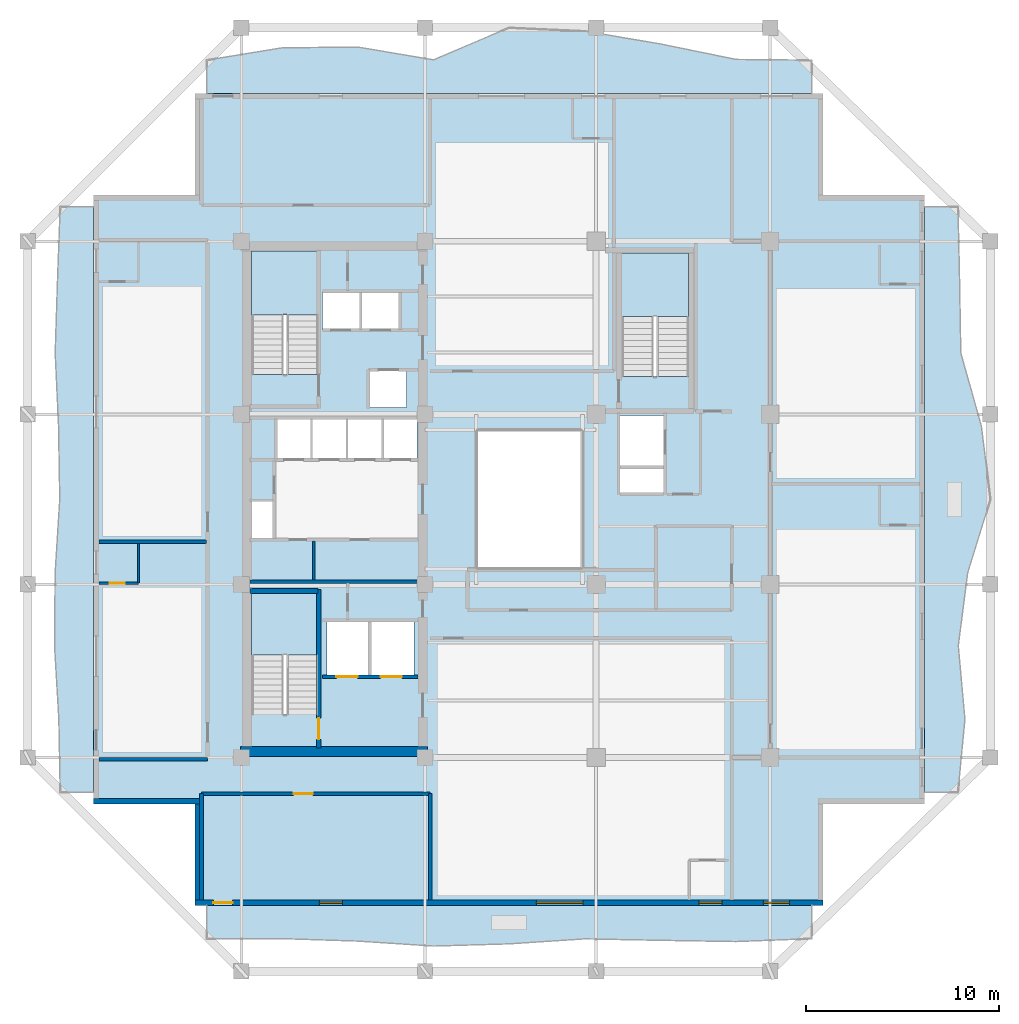
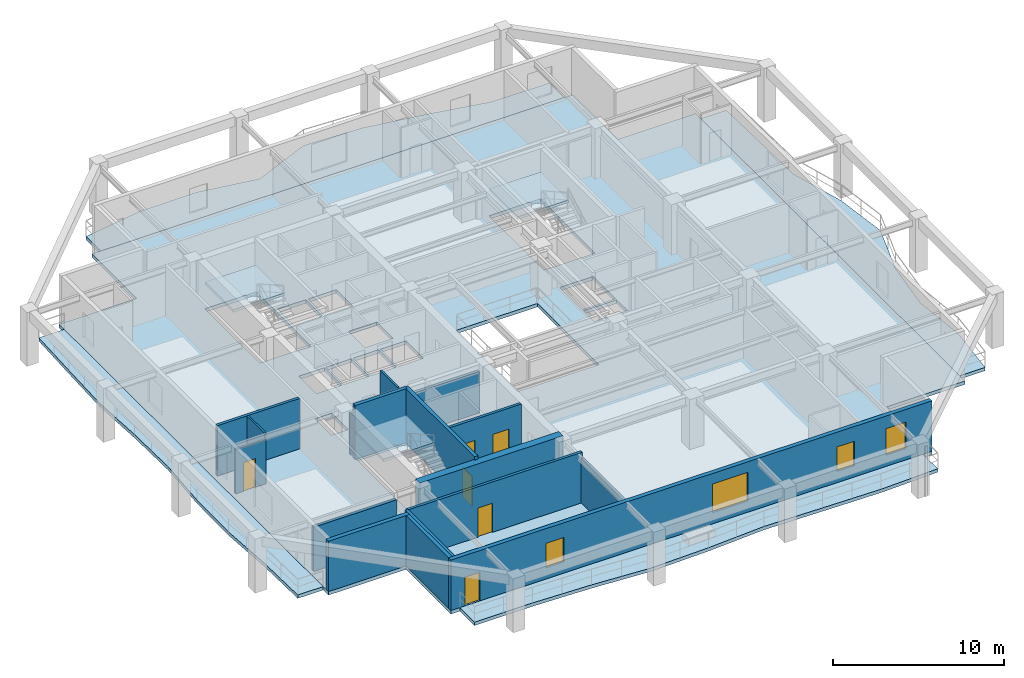
# One storey, part 2 of 12: 16 walls, 8 slabs, 6 doors, 4 windows, 10 openings, 3 elements without a shape of their own.
"""IFC4 building model written with IfcOpenShell, lengths in metres."""

from ifc_helpers import new_model, si_unit, direction, frame, frame_2d, origin, place, context, subcontext, project, spatial, polyline, rectangle, outline, extrude, material, layer, layer_set, type_object, element, fill, aggregate, save


model = new_model("IFC4")

# Units and contexts
model_context = context("Model", 3, precision=1e-05, world=origin(), true_north=direction((0.0, 1.0)))
body_context = subcontext(model_context, "Body", "Model", "MODEL_VIEW")
ifc_project = project(units=[si_unit("LENGTHUNIT", "METRE"), si_unit("AREAUNIT", "SQUARE_METRE"), si_unit("VOLUMEUNIT", "CUBIC_METRE"), si_unit("PLANEANGLEUNIT", "RADIAN"), si_unit("MASSUNIT", "GRAM", prefix="KILO")], contexts=[model_context])

# Site, building, storey
site_placement = place(None, origin())
site = spatial("IfcSite", under=ifc_project, at=site_placement, CompositionType="ELEMENT")
building_placement = place(site_placement, origin())
building = spatial("IfcBuilding", under=site, at=building_placement, Name="Kundavana Baori Tower", CompositionType="ELEMENT")
storey_placement = place(building_placement, frame((0.0, 0.0, 157.89990234375)))
storey = spatial("IfcBuildingStorey", under=building, at=storey_placement, Name="L38", CompositionType="ELEMENT", Elevation=157.89990234375)

# Slab
ifc_material_1 = material(Name="Concrete C40/50", Category="concrete")
ifc_layer_1 = layer(ifc_material_1, 0.25, Name="SLB-FLR-250")
ifc_layer_set_1 = layer_set([ifc_layer_1], Name="Concrete C40/50")
slab_type_1 = type_object("IfcSlabType", Name="SLB-FLR-250", PredefinedType="FLOOR", material=ifc_layer_set_1)
slab_1_placement = place(storey_placement, frame((0.0, 0.0, -0.25)))
element("IfcSlab", 1, at=slab_1_placement, inside=storey, type_object=slab_type_1, Name="L38 Structural Floor Slab", PredefinedType="FLOOR", context=body_context, shape_type="SweptSolid", body=[
    extrude(outline(polyline([(13.050048828125, 7.60009765625), (45.550048828125, 7.60009765625), (45.550048828125, 12.85009765625), (50.800048828125, 12.85009765625), (50.800048828125, 44.35009765625), (45.550048828125, 44.35009765625), (45.550048828125, 49.60009765625), (13.050048828125, 49.60009765625), (13.050048828125, 44.35009765625), (7.800048828125, 44.35009765625), (7.800048828125, 12.85009765625), (13.050048828125, 12.85009765625), (13.050048828125, 7.60009765625)]), holes=[polyline([(19.43994140625, 17.4619140625), (19.43994140625, 23.85009765625), (15.97998046875, 23.85009765625), (15.97998046875, 17.4619140625), (19.43994140625, 17.4619140625)]), polyline([(19.43994140625, 35.06201171875), (19.43994140625, 41.449951171875), (15.97998046875, 41.449951171875), (15.97998046875, 35.06201171875), (19.43994140625, 35.06201171875)]), polyline([(38.580078125, 34.9619140625), (38.580078125, 41.35009765625), (35.1201171875, 41.35009765625), (35.1201171875, 34.9619140625), (38.580078125, 34.9619140625)]), polyline([(17.300048828125, 30.699951171875), (19.02001953125, 30.699951171875), (19.02001953125, 32.75), (17.300048828125, 32.75), (17.300048828125, 30.699951171875)]), polyline([(19.139892578125, 30.699951171875), (20.860107421875, 30.699951171875), (20.860107421875, 32.75), (19.139892578125, 32.75), (19.139892578125, 30.699951171875)]), polyline([(20.97998046875, 30.699951171875), (22.699951171875, 30.699951171875), (22.699951171875, 32.75), (20.97998046875, 32.75), (20.97998046875, 30.699951171875)]), polyline([(22.820068359375, 30.699951171875), (24.5400390625, 30.699951171875), (24.5400390625, 32.75), (22.820068359375, 32.75), (22.820068359375, 30.699951171875)]), polyline([(19.64990234375, 37.39990234375), (21.550048828125, 37.39990234375), (21.550048828125, 39.300048828125), (19.64990234375, 39.300048828125), (19.64990234375, 37.39990234375)]), polyline([(21.699951171875, 37.39990234375), (23.60009765625, 37.39990234375), (23.60009765625, 39.300048828125), (21.699951171875, 39.300048828125), (21.699951171875, 37.39990234375)]), polyline([(22.10009765625, 33.35009765625), (24.0, 33.35009765625), (24.0, 35.25), (22.10009765625, 35.25), (22.10009765625, 33.35009765625)]), polyline([(19.8798828125, 19.5), (22.02001953125, 19.5), (22.02001953125, 22.25), (19.8798828125, 22.25), (19.8798828125, 19.5)]), polyline([(22.179931640625, 19.5), (24.3798828125, 19.5), (24.3798828125, 22.25), (22.179931640625, 22.25), (22.179931640625, 19.5)]), polyline([(35.050048828125, 30.35009765625), (37.300048828125, 30.35009765625), (37.300048828125, 32.949951171875), (35.050048828125, 32.949951171875), (35.050048828125, 30.35009765625)]), polyline([(15.949951171875, 26.60009765625), (17.080078125, 26.60009765625), (17.080078125, 28.5), (15.949951171875, 28.5), (15.949951171875, 26.60009765625)]), polyline([(35.050048828125, 28.949951171875), (37.300048828125, 28.949951171875), (37.300048828125, 30.199951171875), (35.050048828125, 30.199951171875), (35.050048828125, 28.949951171875)]), polyline([(27.60009765625, 25.0), (33.10009765625, 25.0), (33.10009765625, 32.199951171875), (27.60009765625, 32.199951171875), (27.60009765625, 25.0)])]), origin(), (0.0, 0.0, 1.0), 0.25),
])

# Stair, slab
ifc_material_2 = material(Name="Concrete C40/50", Category="concrete")
stair_type = type_object("IfcStairType", Name="STR-DOG-1650", PredefinedType="HALF_TURN_STAIR", material=ifc_material_2)
stair_1_placement = place(storey_placement, origin())
stair_1 = element("IfcStair", 2, at=stair_1_placement, inside=storey, type_object=stair_type, Name="L38 Protected Exit Stair ST1", PredefinedType="HALF_TURN_STAIR")
ifc_material_3 = material(Name="Concrete C40/50", Category="concrete")
ifc_layer_2 = layer(ifc_material_3, 0.199951171875, Name="SLB-LND-200")
ifc_layer_set_2 = layer_set([ifc_layer_2], Name="Concrete C40/50")
slab_type_2 = type_object("IfcSlabType", Name="SLB-LND-200", PredefinedType="LANDING", material=ifc_layer_set_2)
slab_2_placement = place(storey_placement, frame((0.0, 0.0, 1.72509765625)))
slab_2 = element("IfcSlab", 3, at=slab_2_placement, type_object=slab_type_2, Name="ST1 landing 1", PredefinedType="LANDING", context=body_context, shape_type="SweptSolid", body=[
    extrude(outline(polyline([(19.43994140625, 20.550048828125), (19.43994140625, 23.85009765625), (15.97998046875, 23.85009765625), (15.97998046875, 20.550048828125), (19.43994140625, 20.550048828125)])), origin(), (0.0, 0.0, 1.0), 0.199951171875),
])
aggregate(stair_1, [slab_2])

stair_2_placement = place(storey_placement, origin())
stair_2 = element("IfcStair", 4, at=stair_2_placement, inside=storey, type_object=stair_type, Name="L38 Protected Exit Stair ST2", PredefinedType="HALF_TURN_STAIR")
slab_3_placement = place(storey_placement, frame((0.0, 0.0, 1.72509765625)))
slab_3 = element("IfcSlab", 5, at=slab_3_placement, type_object=slab_type_2, Name="ST2 landing 1", PredefinedType="LANDING", context=body_context, shape_type="SweptSolid", body=[
    extrude(outline(polyline([(19.43994140625, 38.14990234375), (19.43994140625, 41.449951171875), (15.97998046875, 41.449951171875), (15.97998046875, 38.14990234375), (19.43994140625, 38.14990234375)])), origin(), (0.0, 0.0, 1.0), 0.199951171875),
])
aggregate(stair_2, [slab_3])

stair_3_placement = place(storey_placement, origin())
stair_3 = element("IfcStair", 6, at=stair_3_placement, inside=storey, type_object=stair_type, Name="L38 Protected Exit Stair ST3", PredefinedType="HALF_TURN_STAIR")
slab_4_placement = place(storey_placement, frame((0.0, 0.0, 1.72509765625)))
slab_4 = element("IfcSlab", 7, at=slab_4_placement, type_object=slab_type_2, Name="ST3 landing 1", PredefinedType="LANDING", context=body_context, shape_type="SweptSolid", body=[
    extrude(outline(polyline([(38.580078125, 38.050048828125), (38.580078125, 41.35009765625), (35.1201171875, 41.35009765625), (35.1201171875, 38.050048828125), (38.580078125, 38.050048828125)])), origin(), (0.0, 0.0, 1.0), 0.199951171875),
])
aggregate(stair_3, [slab_4])

# Slabs
ifc_material_4 = material(Name="Concrete C40/50", Category="concrete")
ifc_layer_3 = layer(ifc_material_4, 0.239990234375, Name="SLB-LOG-240")
ifc_layer_set_3 = layer_set([ifc_layer_3], Name="Concrete C40/50")
slab_type_3 = type_object("IfcSlabType", Name="SLB-LOG-240", PredefinedType="FLOOR", material=ifc_layer_set_3)
slab_5_placement = place(storey_placement, frame((0.0, 0.0, -0.239990234375)))
element("IfcSlab", 8, at=slab_5_placement, inside=storey, type_object=slab_type_3, Name="L38 Planted Loggia Balcony Slab S", PredefinedType="FLOOR", context=body_context, shape_type="SweptSolid", body=[
    extrude(outline(polyline([(13.64990234375, 7.60009765625), (44.949951171875, 7.60009765625), (44.949951171875, 5.8798828125), (41.0380859375, 5.72900390625), (37.125, 5.7939453125), (33.212890625, 5.867919921875), (29.300048828125, 5.610107421875), (25.387939453125, 5.49609375), (21.47509765625, 5.7529296875), (17.56201171875, 5.8798828125), (13.64990234375, 5.8798828125), (13.64990234375, 7.60009765625)])), origin(), (0.0, 0.0, 1.0), 0.239990234375),
])
slab_6_placement = place(storey_placement, frame((0.0, 0.0, -0.239990234375)))
element("IfcSlab", 9, at=slab_6_placement, inside=storey, type_object=slab_type_3, Name="L38 Planted Loggia Balcony Slab E", PredefinedType="FLOOR", context=body_context, shape_type="SweptSolid", body=[
    extrude(outline(polyline([(50.800048828125, 13.449951171875), (50.800048828125, 43.75), (52.52001953125, 43.75), (52.60205078125, 39.9619140625), (52.6669921875, 36.175048828125), (53.73291015625, 32.387939453125), (54.199951171875, 28.60009765625), (53.02294921875, 24.81201171875), (52.537109375, 21.02490234375), (52.8798828125, 17.238037109375), (52.52001953125, 13.449951171875), (50.800048828125, 13.449951171875)])), origin(), (0.0, 0.0, 1.0), 0.239990234375),
])
slab_7_placement = place(storey_placement, frame((0.0, 0.0, -0.239990234375)))
element("IfcSlab", 10, at=slab_7_placement, inside=storey, type_object=slab_type_3, Name="L38 Planted Loggia Balcony Slab N", PredefinedType="FLOOR", context=body_context, shape_type="SweptSolid", body=[
    extrude(outline(polyline([(44.949951171875, 49.60009765625), (13.64990234375, 49.60009765625), (13.64990234375, 51.320068359375), (17.56201171875, 51.9619140625), (21.47509765625, 51.9990234375), (25.387939453125, 51.337890625), (29.300048828125, 53.0), (33.212890625, 52.822998046875), (37.125, 52.162109375), (41.0380859375, 51.360107421875), (44.949951171875, 51.320068359375), (44.949951171875, 49.60009765625)])), origin(), (0.0, 0.0, 1.0), 0.239990234375),
])
slab_8_placement = place(storey_placement, frame((0.0, 0.0, -0.239990234375)))
element("IfcSlab", 11, at=slab_8_placement, inside=storey, type_object=slab_type_3, Name="L38 Planted Loggia Balcony Slab W", PredefinedType="FLOOR", context=body_context, shape_type="SweptSolid", body=[
    extrude(outline(polyline([(7.800048828125, 43.75), (7.800048828125, 13.449951171875), (6.080078125, 13.449951171875), (6.009033203125, 17.238037109375), (5.787109375, 21.02490234375), (5.818115234375, 24.81201171875), (6.055908203125, 28.60009765625), (5.9951171875, 32.387939453125), (5.820068359375, 36.175048828125), (5.93994140625, 39.9619140625), (6.080078125, 43.75), (7.800048828125, 43.75)])), origin(), (0.0, 0.0, 1.0), 0.239990234375),
])

# Wall, opening, door
ifc_material_5 = material(Name="Concrete C50/60", Category="concrete")
ifc_layer_4 = layer(ifc_material_5, 0.39990234375, Name="WL-CORE-400")
ifc_layer_set_4 = layer_set([ifc_layer_4], Name="Concrete C50/60")
wall_type_1 = type_object("IfcWallType", Name="WL-CORE-400", PredefinedType="SHEAR", material=ifc_layer_set_4)
wall_1_placement = place(storey_placement, frame((19.4599609375, 15.739990234375, 0.0), z_axis=(0.0, 0.0, 1.0), x_axis=(0.0, 1.0, 0.0)))
wall_1 = element("IfcWall", 12, at=wall_1_placement, inside=storey, type_object=wall_type_1, Name="WL-L38-ST1-E", PredefinedType="SHEAR", context=body_context, shape_type="SweptSolid", body=[
    extrude(rectangle(XDim=8.199951171875, YDim=0.239990234375, at=frame_2d((4.10009765625, 0.0))), origin(), (0.0, 0.0, 1.0), 3.85009765625),
])
opening_1_placement = place(wall_1_placement, frame((0.449951171875, 0.0, 0.0)))
opening_1 = element("IfcOpeningElement", 13, at=opening_1_placement, cuts=wall_1, Name="Opening FD-110", PredefinedType="OPENING", context=body_context, shape_type="SweptSolid", body=[
    extrude(rectangle(XDim=1.10009765625, YDim=2.10009765625, at=frame_2d((0.550048828125, 1.050048828125))), frame((0.0, 0.1298828125, 0.0), z_axis=(0.0, -1.0, 0.0), x_axis=(1.0, 0.0, 0.0)), (0.0, 0.0, 1.0), 0.260009765625),
])
ifc_material_6 = material(Name="Galvanised Steel Fire-Rated Door Leaf", Category="steel")
door_type_1 = type_object("IfcDoorType", Name="DR-FD120-1100", OperationType="NOTDEFINED", PredefinedType="DOOR", material=ifc_material_6)
door_1_placement = place(opening_1_placement, origin())
door_1 = element("IfcDoor", 14, at=door_1_placement, inside=storey, type_object=door_type_1, Name="DR-L38-ST1", OperationType="SINGLE_SWING_LEFT", OverallHeight=2.10009765625, OverallWidth=1.10009765625, PredefinedType="DOOR", context=body_context, shape_type="SweptSolid", body=[
    extrude(rectangle(XDim=1.10009765625, YDim=2.10009765625, at=frame_2d((0.550048828125, 1.050048828125))), frame((0.0, 0.02490234375, 0.0), z_axis=(0.0, -1.0, 0.0), x_axis=(1.0, 0.0, 0.0)), (0.0, 0.0, 1.0), 0.050048828125),
])
fill(opening_1, door_1)

# Walls
wall_2_placement = place(storey_placement, frame((15.89990234375, 23.860107421875, 0.0), z_axis=(0.0, 0.0, 1.0), x_axis=(1.0, 0.0, 0.0)))
element("IfcWall", 15, at=wall_2_placement, inside=storey, type_object=wall_type_1, Name="WL-L38-ST1-N", PredefinedType="SHEAR", context=body_context, shape_type="SweptSolid", body=[
    extrude(rectangle(XDim=3.52001953125, YDim=0.239990234375, at=frame_2d((1.760009765625, 0.0))), origin(), (0.0, 0.0, 1.0), 3.85009765625),
])
ifc_material_7 = material(Name="Concrete C50/60", Category="concrete")
ifc_layer_5 = layer(ifc_material_7, 0.5, Name="WL-CORE-500")
ifc_layer_set_5 = layer_set([ifc_layer_5], Name="Concrete C50/60")
wall_type_2 = type_object("IfcWallType", Name="WL-CORE-500", PredefinedType="SHEAR", material=ifc_layer_set_5)
wall_3_placement = place(storey_placement, frame((15.39990234375, 15.56005859375, 0.0), z_axis=(0.0, 0.0, 1.0), x_axis=(1.0, 0.0, 0.0)))
element("IfcWall", 16, at=wall_3_placement, inside=storey, type_object=wall_type_2, Name="L38 Offset Core South Shear Wall", PredefinedType="SHEAR", context=body_context, shape_type="SweptSolid", body=[
    extrude(rectangle(XDim=9.68017578125, YDim=0.5, at=frame_2d((4.840087890625, 0.0))), origin(), (0.0, 0.0, 1.0), 3.60009765625),
])

# Wall, openings, door, windows
ifc_material_8 = material(Name="Red-Buff Dholpur Sandstone Cladding on Concrete C40/50", Category="masonry")
ifc_layer_6 = layer(ifc_material_8, 0.280029296875, Name="WL-EXT-SAND-280")
ifc_layer_set_6 = layer_set([ifc_layer_6], Name="Red-Buff Dholpur Sandstone Cladding on Concrete C40/50")
wall_type_3 = type_object("IfcWallType", Name="WL-EXT-SAND-280", PredefinedType="STANDARD", material=ifc_layer_set_6)
wall_4_placement = place(storey_placement, frame((13.050048828125, 7.739990234375, 0.0), z_axis=(0.0, 0.0, 1.0), x_axis=(1.0, 0.0, 0.0)))
wall_4 = element("IfcWall", 17, at=wall_4_placement, inside=storey, type_object=wall_type_3, Name="L38 Exterior Insulated Facade Wall 01", PredefinedType="STANDARD", context=body_context, shape_type="SweptSolid", body=[
    extrude(rectangle(XDim=32.5, YDim=0.280029296875, at=frame_2d((16.25, 0.0))), origin(), (0.0, 0.0, 1.0), 3.60009765625),
])
opening_2_placement = place(wall_4_placement, frame((0.949951171875, 0.0, 0.0)))
opening_2 = element("IfcOpeningElement", 18, at=opening_2_placement, cuts=wall_4, Name="Opening BD-1", PredefinedType="OPENING", context=body_context, shape_type="SweptSolid", body=[
    extrude(rectangle(XDim=1.0, YDim=2.050048828125, at=frame_2d((0.5, 1.02490234375))), frame((0.0, 0.14990234375, 0.0), z_axis=(0.0, -1.0, 0.0), x_axis=(1.0, 0.0, 0.0)), (0.0, 0.0, 1.0), 0.300048828125),
])
opening_3_placement = place(wall_4_placement, frame((6.429931640625, 0.0, 0.800048828125)))
opening_3 = element("IfcOpeningElement", 19, at=opening_3_placement, cuts=wall_4, Name="Opening W-03", PredefinedType="OPENING", context=body_context, shape_type="SweptSolid", body=[
    extrude(rectangle(XDim=1.199951171875, YDim=1.75, at=frame_2d((0.60009765625, 0.875))), frame((0.0, 0.14990234375, 0.0), z_axis=(0.0, -1.0, 0.0), x_axis=(1.0, 0.0, 0.0)), (0.0, 0.0, 1.0), 0.300048828125),
])
opening_4_placement = place(wall_4_placement, frame((17.6650390625, 0.0, 0.800048828125)))
opening_4 = element("IfcOpeningElement", 20, at=opening_4_placement, cuts=wall_4, Name="Opening W-04", PredefinedType="OPENING", context=body_context, shape_type="SweptSolid", body=[
    extrude(rectangle(XDim=2.39990234375, YDim=2.050048828125, at=frame_2d((1.199951171875, 1.02490234375))), frame((0.0, 0.14990234375, 0.0), z_axis=(0.0, -1.0, 0.0), x_axis=(1.0, 0.0, 0.0)), (0.0, 0.0, 1.0), 0.300048828125),
])
opening_5_placement = place(wall_4_placement, frame((26.06494140625, 0.0, 0.800048828125)))
opening_5 = element("IfcOpeningElement", 21, at=opening_5_placement, cuts=wall_4, Name="Opening W-03", PredefinedType="OPENING", context=body_context, shape_type="SweptSolid", body=[
    extrude(rectangle(XDim=1.199951171875, YDim=1.75, at=frame_2d((0.60009765625, 0.875))), frame((0.0, 0.14990234375, 0.0), z_axis=(0.0, -1.0, 0.0), x_axis=(1.0, 0.0, 0.0)), (0.0, 0.0, 1.0), 0.300048828125),
])
opening_6_placement = place(wall_4_placement, frame((29.405029296875, 0.0, 0.800048828125)))
opening_6 = element("IfcOpeningElement", 22, at=opening_6_placement, cuts=wall_4, Name="Opening W-07", PredefinedType="OPENING", context=body_context, shape_type="SweptSolid", body=[
    extrude(rectangle(XDim=1.35009765625, YDim=1.89990234375, at=frame_2d((0.675048828125, 0.949951171875))), frame((0.0, 0.14990234375, 0.0), z_axis=(0.0, -1.0, 0.0), x_axis=(1.0, 0.0, 0.0)), (0.0, 0.0, 1.0), 0.300048828125),
])
ifc_material_9 = material(Name="Architectural Patinated Bronze Metalwork")
door_type_2 = type_object("IfcDoorType", Name="DR-EXT-LOG-1000", OperationType="NOTDEFINED", PredefinedType="DOOR", material=ifc_material_9)
door_2_placement = place(opening_2_placement, frame((1.0, 0.0, 0.0), z_axis=(0.0, 0.0, 1.0), x_axis=(-1.0, 0.0, 0.0)))
door_2 = element("IfcDoor", 23, at=door_2_placement, inside=storey, type_object=door_type_2, Name="L38 Loggia Balcony Access Door S", OperationType="SINGLE_SWING_LEFT", OverallHeight=2.050048828125, OverallWidth=1.0, PredefinedType="DOOR", context=body_context, shape_type="SweptSolid", body=[
    extrude(rectangle(XDim=1.0, YDim=2.050048828125, at=frame_2d((0.5, 1.02490234375))), frame((0.0, 0.02490234375, 0.0), z_axis=(0.0, -1.0, 0.0), x_axis=(1.0, 0.0, 0.0)), (0.0, 0.0, 1.0), 0.050048828125),
])
fill(opening_2, door_2)
ifc_material_10 = material(Name="Double-Glazed Solar-Control Low-E Insulated Glass", Category="glass")
window_type_1 = type_object("IfcWindowType", Name="WIN-LOG-1200x1750", PartitioningType="SINGLE_PANEL", PredefinedType="WINDOW", material=ifc_material_10)
window_1_placement = place(opening_3_placement, origin())
window_1 = element("IfcWindow", 24, at=window_1_placement, inside=storey, type_object=window_type_1, Name="L38 Recessed Loggia Window S-1", OverallHeight=1.75, OverallWidth=1.199951171875, PartitioningType="SINGLE_PANEL", PredefinedType="WINDOW", context=body_context, shape_type="SweptSolid", body=[
    extrude(rectangle(XDim=1.199951171875, YDim=1.75, at=frame_2d((0.60009765625, 0.875))), frame((0.0, 0.030029296875, 0.0), z_axis=(0.0, -1.0, 0.0), x_axis=(1.0, 0.0, 0.0)), (0.0, 0.0, 1.0), 0.06005859375),
])
fill(opening_3, window_1)
window_2_placement = place(opening_5_placement, origin())
window_2 = element("IfcWindow", 25, at=window_2_placement, inside=storey, type_object=window_type_1, Name="L38 Recessed Loggia Window S-3", OverallHeight=1.75, OverallWidth=1.199951171875, PartitioningType="SINGLE_PANEL", PredefinedType="WINDOW", context=body_context, shape_type="SweptSolid", body=[
    extrude(rectangle(XDim=1.199951171875, YDim=1.75, at=frame_2d((0.60009765625, 0.875))), frame((0.0, 0.030029296875, 0.0), z_axis=(0.0, -1.0, 0.0), x_axis=(1.0, 0.0, 0.0)), (0.0, 0.0, 1.0), 0.06005859375),
])
fill(opening_5, window_2)
ifc_material_11 = material(Name="Double-Glazed Solar-Control Low-E Insulated Glass", Category="glass")
window_type_2 = type_object("IfcWindowType", Name="WIN-LOG-1350x1900", PartitioningType="SINGLE_PANEL", PredefinedType="WINDOW", material=ifc_material_11)
window_3_placement = place(opening_6_placement, origin())
window_3 = element("IfcWindow", 26, at=window_3_placement, inside=storey, type_object=window_type_2, Name="L38 Recessed Loggia Window S-4", OverallHeight=1.89990234375, OverallWidth=1.35009765625, PartitioningType="SINGLE_PANEL", PredefinedType="WINDOW", context=body_context, shape_type="SweptSolid", body=[
    extrude(rectangle(XDim=1.35009765625, YDim=1.89990234375, at=frame_2d((0.675048828125, 0.949951171875))), frame((0.0, 0.030029296875, 0.0), z_axis=(0.0, -1.0, 0.0), x_axis=(1.0, 0.0, 0.0)), (0.0, 0.0, 1.0), 0.06005859375),
])
fill(opening_6, window_3)
ifc_material_12 = material(Name="Double-Glazed Solar-Control Low-E Insulated Glass", Category="glass")
window_type_3 = type_object("IfcWindowType", Name="WIN-LOG-2400x2050", PartitioningType="SINGLE_PANEL", PredefinedType="WINDOW", material=ifc_material_12)
window_4_placement = place(opening_4_placement, origin())
window_4 = element("IfcWindow", 27, at=window_4_placement, inside=storey, type_object=window_type_3, Name="L38 Recessed Loggia Window S-2", OverallHeight=2.050048828125, OverallWidth=2.39990234375, PartitioningType="SINGLE_PANEL", PredefinedType="WINDOW", context=body_context, shape_type="SweptSolid", body=[
    extrude(rectangle(XDim=2.39990234375, YDim=2.050048828125, at=frame_2d((1.199951171875, 1.02490234375))), frame((0.0, 0.030029296875, 0.0), z_axis=(0.0, -1.0, 0.0), x_axis=(1.0, 0.0, 0.0)), (0.0, 0.0, 1.0), 0.06005859375),
])
fill(opening_4, window_4)

# Walls
wall_5_placement = place(storey_placement, frame((7.800048828125, 12.989990234375, 0.0), z_axis=(0.0, 0.0, 1.0), x_axis=(1.0, 0.0, 0.0)))
element("IfcWall", 28, at=wall_5_placement, inside=storey, type_object=wall_type_3, Name="L38 Exterior Insulated Facade Wall 11", PredefinedType="STANDARD", context=body_context, shape_type="SweptSolid", body=[
    extrude(rectangle(XDim=5.530029296875, YDim=0.280029296875, at=frame_2d((2.76513671875, 0.0))), origin(), (0.0, 0.0, 1.0), 3.60009765625),
])
wall_6_placement = place(storey_placement, frame((13.18994140625, 12.85009765625, 0.0), z_axis=(0.0, 0.0, 1.0), x_axis=(0.0, -1.0, 0.0)))
element("IfcWall", 29, at=wall_6_placement, inside=storey, type_object=wall_type_3, Name="L38 Exterior Insulated Facade Wall 12", PredefinedType="STANDARD", context=body_context, shape_type="SweptSolid", body=[
    extrude(rectangle(XDim=4.97021484375, YDim=0.280029296875, at=frame_2d((2.485107421875, 0.0))), origin(), (0.0, 0.0, 1.0), 3.60009765625),
])
ifc_material_13 = material(Name="Acoustic Gypsum Plasterboard on Galvanised Steel Studs", Category="steel")
ifc_layer_7 = layer(ifc_material_13, 0.1201171875, Name="WL-PART-120")
ifc_layer_set_7 = layer_set([ifc_layer_7], Name="Acoustic Gypsum Plasterboard on Galvanised Steel Studs")
wall_type_4 = type_object("IfcWallType", Name="WL-PART-120", PredefinedType="PARTITIONING", material=ifc_layer_set_7)
wall_7_placement = place(storey_placement, frame((19.199951171875, 24.419921875, 0.0), z_axis=(0.0, 0.0, 1.0), x_axis=(0.0, 1.0, 0.0)))
element("IfcWall", 30, at=wall_7_placement, inside=storey, type_object=wall_type_4, Name="WL-L38-FRLOW-DIV", PredefinedType="PARTITIONING", context=body_context, shape_type="SweptSolid", body=[
    extrude(rectangle(XDim=2.02001953125, YDim=0.1201171875, at=frame_2d((1.010009765625, 0.0))), origin(), (0.0, 0.0, 1.0), 3.60009765625),
])
ifc_material_14 = material(Name="Autoclaved Aerated Concrete Blockwork Masonry", Category="masonry")
ifc_layer_8 = layer(ifc_material_14, 0.18505859375, Name="WL-PART-180")
ifc_layer_set_8 = layer_set([ifc_layer_8], Name="Autoclaved Aerated Concrete Blockwork Masonry")
wall_type_5 = type_object("IfcWallType", Name="WL-PART-180", PredefinedType="SOLIDWALL", material=ifc_layer_set_8)
wall_8_placement = place(storey_placement, frame((8.080078125, 15.159912109375, 0.0), z_axis=(0.0, 0.0, 1.0), x_axis=(1.0, 0.0, 0.0)))
element("IfcWall", 31, at=wall_8_placement, inside=storey, type_object=wall_type_5, Name="WL-L38-HWS", PredefinedType="SOLIDWALL", context=body_context, shape_type="SweptSolid", body=[
    extrude(rectangle(XDim=5.619873046875, YDim=0.18505859375, at=frame_2d((2.81005859375, 0.0))), origin(), (0.0, 0.0, 1.0), 3.150146484375),
])

# Wall, opening, door
wall_9_placement = place(storey_placement, frame((13.389892578125, 13.3798828125, 0.0), z_axis=(0.0, 0.0, 1.0), x_axis=(1.0, 0.0, 0.0)))
wall_9 = element("IfcWall", 32, at=wall_9_placement, inside=storey, type_object=wall_type_5, Name="WL-L38-HSC", PredefinedType="SOLIDWALL", context=body_context, shape_type="SweptSolid", body=[
    extrude(rectangle(XDim=11.830078125, YDim=0.18505859375, at=frame_2d((5.9150390625, 0.0))), origin(), (0.0, 0.0, 1.0), 3.60009765625),
])
opening_7_placement = place(wall_9_placement, frame((4.760009765625, 0.0, 0.0)))
opening_7 = element("IfcOpeningElement", 33, at=opening_7_placement, cuts=wall_9, Name="Opening ID-100", PredefinedType="OPENING", context=body_context, shape_type="SweptSolid", body=[
    extrude(rectangle(XDim=1.0, YDim=2.080078125, at=frame_2d((0.5, 1.0400390625))), frame((0.0, 0.1025390625, 0.0), z_axis=(0.0, -1.0, 0.0), x_axis=(1.0, 0.0, 0.0)), (0.0, 0.0, 1.0), 0.205078125),
])
ifc_material_15 = material(Name="Engineered Teak Solid-Core Timber Veneer", Category="wood")
door_type_3 = type_object("IfcDoorType", Name="DR-INT-1000", OperationType="NOTDEFINED", PredefinedType="DOOR", material=ifc_material_15)
door_3_placement = place(opening_7_placement, frame((1.0, 0.0, 0.0), z_axis=(0.0, 0.0, 1.0), x_axis=(-1.0, 0.0, 0.0)))
door_3 = element("IfcDoor", 34, at=door_3_placement, inside=storey, type_object=door_type_3, Name="DR-L38-HMSW", OperationType="SINGLE_SWING_LEFT", OverallHeight=2.080078125, OverallWidth=1.0, PredefinedType="DOOR", context=body_context, shape_type="SweptSolid", body=[
    extrude(rectangle(XDim=1.0, YDim=2.080078125, at=frame_2d((0.5, 1.0400390625))), frame((0.0, 0.02490234375, 0.0), z_axis=(0.0, -1.0, 0.0), x_axis=(1.0, 0.0, 0.0)), (0.0, 0.0, 1.0), 0.050048828125),
])
fill(opening_7, door_3)

# Walls
wall_10_placement = place(storey_placement, frame((13.389892578125, 7.8798828125, 0.0), z_axis=(0.0, 0.0, 1.0), x_axis=(0.0, 1.0, 0.0)))
element("IfcWall", 35, at=wall_10_placement, inside=storey, type_object=wall_type_5, Name="WL-L38-HSCW", PredefinedType="SOLIDWALL", context=body_context, shape_type="SweptSolid", body=[
    extrude(rectangle(XDim=5.5, YDim=0.18505859375, at=frame_2d((2.75, 0.0))), origin(), (0.0, 0.0, 1.0), 3.60009765625),
])
wall_11_placement = place(storey_placement, frame((25.219970703125, 7.8798828125, 0.0), z_axis=(0.0, 0.0, 1.0), x_axis=(0.0, 1.0, 0.0)))
element("IfcWall", 36, at=wall_11_placement, inside=storey, type_object=wall_type_5, Name="WL-L38-HSCE", PredefinedType="SOLIDWALL", context=body_context, shape_type="SweptSolid", body=[
    extrude(rectangle(XDim=5.5, YDim=0.18505859375, at=frame_2d((2.75, 0.0))), origin(), (0.0, 0.0, 1.0), 3.150146484375),
])
wall_12_placement = place(storey_placement, frame((8.080078125, 26.39990234375, 0.0), z_axis=(0.0, 0.0, 1.0), x_axis=(1.0, 0.0, 0.0)))
element("IfcWall", 37, at=wall_12_placement, inside=storey, type_object=wall_type_5, Name="WL-L38-HWD1", PredefinedType="SOLIDWALL", context=body_context, shape_type="SweptSolid", body=[
    extrude(rectangle(XDim=5.559814453125, YDim=0.18505859375, at=frame_2d((2.77978515625, 0.0))), origin(), (0.0, 0.0, 1.0), 3.60009765625),
])

# Wall, openings, doors
ifc_material_16 = material(Name="Autoclaved Aerated Concrete Blockwork Masonry", Category="masonry")
ifc_layer_9 = layer(ifc_material_16, 0.179931640625, Name="WL-SHAFT-180")
ifc_layer_set_9 = layer_set([ifc_layer_9], Name="Autoclaved Aerated Concrete Blockwork Masonry")
wall_type_6 = type_object("IfcWallType", Name="WL-SHAFT-180", PredefinedType="SOLIDWALL", material=ifc_layer_set_9)
wall_13_placement = place(storey_placement, frame((19.639892578125, 19.419921875, 0.0), z_axis=(0.0, 0.0, 1.0), x_axis=(1.0, 0.0, 0.0)))
wall_13 = element("IfcWall", 38, at=wall_13_placement, inside=storey, type_object=wall_type_6, Name="WL-L38-FFL-S", PredefinedType="SOLIDWALL", context=body_context, shape_type="SweptSolid", body=[
    extrude(rectangle(XDim=4.940185546875, YDim=0.179931640625, at=frame_2d((2.47021484375, 0.0))), origin(), (0.0, 0.0, 1.0), 3.60009765625),
])
opening_8_placement = place(wall_13_placement, frame((0.719970703125, 0.0, 0.0)))
opening_8 = element("IfcOpeningElement", 39, at=opening_8_placement, cuts=wall_13, Name="Opening LD-110", PredefinedType="OPENING", context=body_context, shape_type="SweptSolid", body=[
    extrude(rectangle(XDim=1.10009765625, YDim=2.10009765625, at=frame_2d((0.550048828125, 1.050048828125))), frame((0.0, 0.10009765625, 0.0), z_axis=(0.0, -1.0, 0.0), x_axis=(1.0, 0.0, 0.0)), (0.0, 0.0, 1.0), 0.199951171875),
])
opening_9_placement = place(wall_13_placement, frame((3.02001953125, 0.0, 0.0)))
opening_9 = element("IfcOpeningElement", 40, at=opening_9_placement, cuts=wall_13, Name="Opening LD-110", PredefinedType="OPENING", context=body_context, shape_type="SweptSolid", body=[
    extrude(rectangle(XDim=1.10009765625, YDim=2.10009765625, at=frame_2d((0.550048828125, 1.050048828125))), frame((0.0, 0.10009765625, 0.0), z_axis=(0.0, -1.0, 0.0), x_axis=(1.0, 0.0, 0.0)), (0.0, 0.0, 1.0), 0.199951171875),
])
ifc_material_17 = material(Name="Galvanised Steel Fire-Rated Door Leaf", Category="steel")
door_type_4 = type_object("IfcDoorType", Name="DR-SLIDE-LD1100", OperationType="NOTDEFINED", PredefinedType="DOOR", material=ifc_material_17)
door_4_placement = place(opening_8_placement, origin())
door_4 = element("IfcDoor", 41, at=door_4_placement, inside=storey, type_object=door_type_4, Name="DR-L38-LD-FFL-1", OperationType="DOUBLE_DOOR_SLIDING", OverallHeight=2.10009765625, OverallWidth=1.10009765625, PredefinedType="DOOR", context=body_context, shape_type="SweptSolid", body=[
    extrude(rectangle(XDim=1.10009765625, YDim=2.10009765625, at=frame_2d((0.550048828125, 1.050048828125))), frame((0.0, 0.02490234375, 0.0), z_axis=(0.0, -1.0, 0.0), x_axis=(1.0, 0.0, 0.0)), (0.0, 0.0, 1.0), 0.050048828125),
])
fill(opening_8, door_4)
door_5_placement = place(opening_9_placement, origin())
door_5 = element("IfcDoor", 42, at=door_5_placement, inside=storey, type_object=door_type_4, Name="DR-L38-LD-FFL-2", OperationType="DOUBLE_DOOR_SLIDING", OverallHeight=2.10009765625, OverallWidth=1.10009765625, PredefinedType="DOOR", context=body_context, shape_type="SweptSolid", body=[
    extrude(rectangle(XDim=1.10009765625, YDim=2.10009765625, at=frame_2d((0.550048828125, 1.050048828125))), frame((0.0, 0.02490234375, 0.0), z_axis=(0.0, -1.0, 0.0), x_axis=(1.0, 0.0, 0.0)), (0.0, 0.0, 1.0), 0.050048828125),
])
fill(opening_9, door_5)

# Walls
wall_14_placement = place(storey_placement, frame((15.89990234375, 24.330078125, 0.0), z_axis=(0.0, 0.0, 1.0), x_axis=(1.0, 0.0, 0.0)))
element("IfcWall", 43, at=wall_14_placement, inside=storey, type_object=wall_type_6, Name="WL-L38-LPLOW-S", PredefinedType="SOLIDWALL", context=body_context, shape_type="SweptSolid", body=[
    extrude(rectangle(XDim=8.68017578125, YDim=0.179931640625, at=frame_2d((4.340087890625, 0.0))), origin(), (0.0, 0.0, 1.0), 2.9501953125),
])
ifc_material_18 = material(Name="Autoclaved Aerated Concrete Blockwork Masonry", Category="masonry")
ifc_layer_10 = layer(ifc_material_18, 0.125, Name="WL-WET-120")
ifc_layer_set_10 = layer_set([ifc_layer_10], Name="Autoclaved Aerated Concrete Blockwork Masonry")
wall_type_7 = type_object("IfcWallType", Name="WL-WET-120", PredefinedType="PLUMBINGWALL", material=ifc_layer_set_10)
wall_15_placement = place(storey_placement, frame((10.1298828125, 24.27001953125, 0.0), z_axis=(0.0, 0.0, 1.0), x_axis=(0.0, 1.0, 0.0)))
element("IfcWall", 44, at=wall_15_placement, inside=storey, type_object=wall_type_7, Name="WL-L38-HK-W1-BE", PredefinedType="PLUMBINGWALL", context=body_context, shape_type="SweptSolid", body=[
    extrude(rectangle(XDim=2.050048828125, YDim=0.125, at=frame_2d((1.02490234375, 0.0))), origin(), (0.0, 0.0, 1.0), 3.60009765625),
])

# Wall, opening, door
wall_16_placement = place(storey_placement, frame((8.080078125, 24.27001953125, 0.0), z_axis=(0.0, 0.0, 1.0), x_axis=(1.0, 0.0, 0.0)))
wall_16 = element("IfcWall", 45, at=wall_16_placement, inside=storey, type_object=wall_type_7, Name="WL-L38-HK-W1-BS", PredefinedType="PLUMBINGWALL", context=body_context, shape_type="SweptSolid", body=[
    extrude(rectangle(XDim=2.0498046875, YDim=0.125, at=frame_2d((1.02490234375, 0.0))), origin(), (0.0, 0.0, 1.0), 3.150146484375),
])
opening_10_placement = place(wall_16_placement, frame((0.550048828125, 0.0, 0.0)))
opening_10 = element("IfcOpeningElement", 46, at=opening_10_placement, cuts=wall_16, Name="Opening WD-080", PredefinedType="OPENING", context=body_context, shape_type="SweptSolid", body=[
    extrude(rectangle(XDim=0.800048828125, YDim=2.050048828125, at=frame_2d((0.39990234375, 1.02490234375))), frame((0.0, 0.072509765625, 0.0), z_axis=(0.0, -1.0, 0.0), x_axis=(1.0, 0.0, 0.0)), (0.0, 0.0, 1.0), 0.14501953125),
])
ifc_material_19 = material(Name="Engineered Teak Solid-Core Timber Veneer", Category="wood")
door_type_5 = type_object("IfcDoorType", Name="DR-WET-800", OperationType="NOTDEFINED", PredefinedType="DOOR", material=ifc_material_19)
door_6_placement = place(opening_10_placement, frame((0.800048828125, 0.0, 0.0), z_axis=(0.0, 0.0, 1.0), x_axis=(-1.0, 0.0, 0.0)))
door_6 = element("IfcDoor", 47, at=door_6_placement, inside=storey, type_object=door_type_5, Name="DR-L38-HK-W1-ENS", OperationType="SINGLE_SWING_LEFT", OverallHeight=2.050048828125, OverallWidth=0.800048828125, PredefinedType="DOOR", context=body_context, shape_type="SweptSolid", body=[
    extrude(rectangle(XDim=0.800048828125, YDim=2.050048828125, at=frame_2d((0.39990234375, 1.02490234375))), frame((0.0, 0.02490234375, 0.0), z_axis=(0.0, -1.0, 0.0), x_axis=(1.0, 0.0, 0.0)), (0.0, 0.0, 1.0), 0.050048828125),
])
fill(opening_10, door_6)

save(model, "model.ifc")
